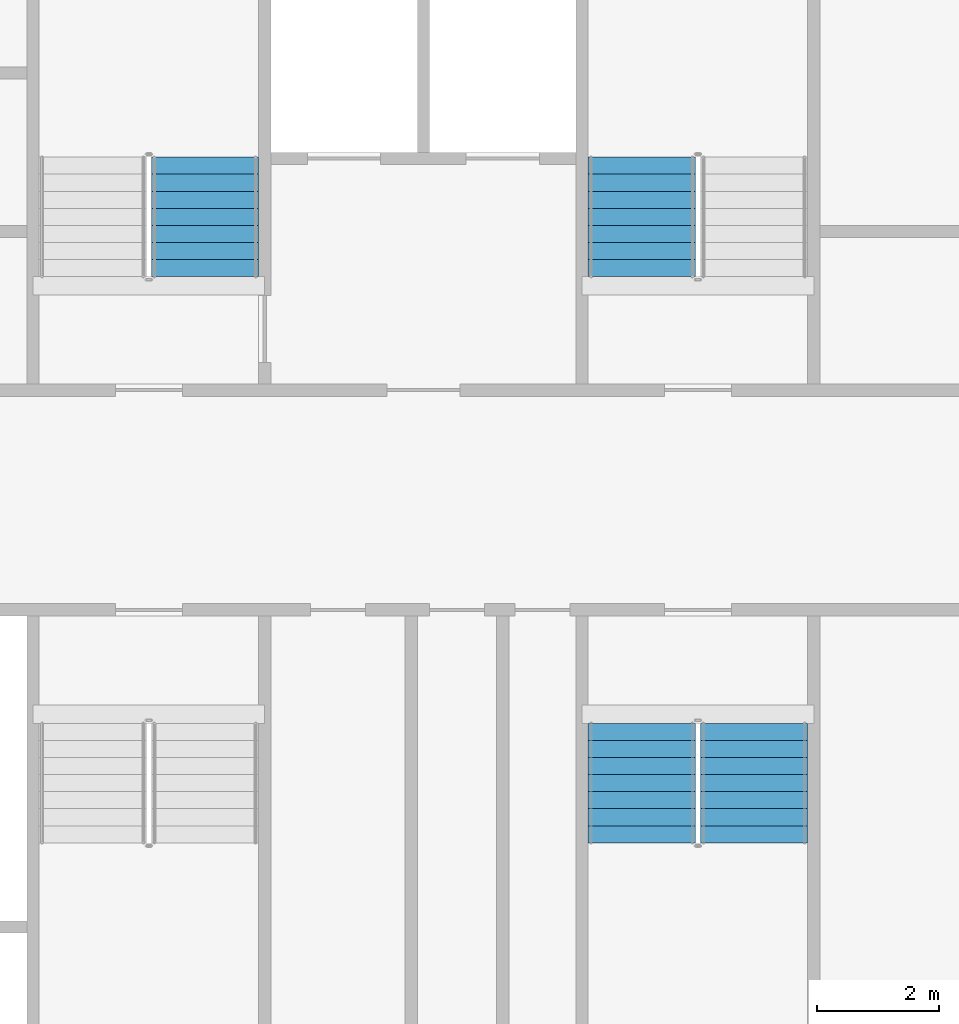
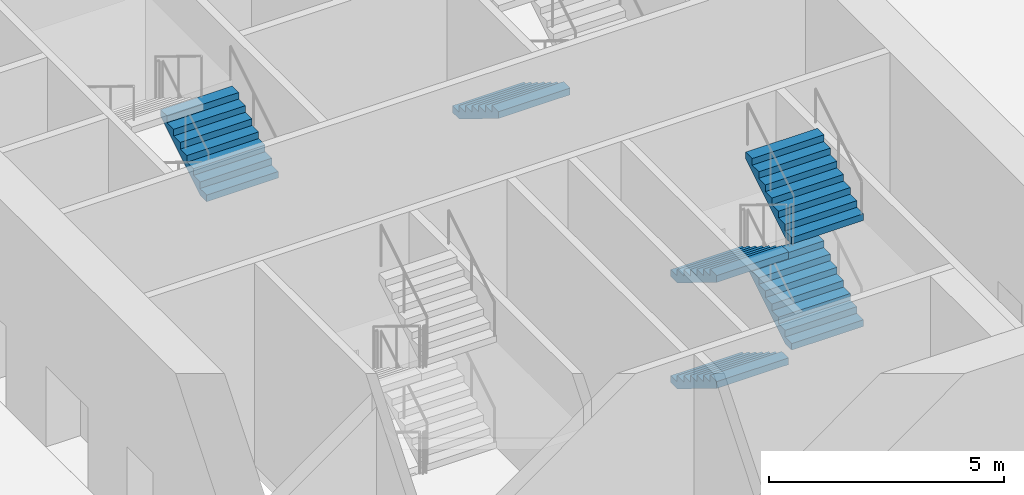
# One storey, part 15 of 23: 6 stair flights, 3 elements without a shape of their own.
"""IFC4 building model written with IfcOpenShell, lengths in metres."""

from ifc_helpers import new_model, si_unit, direction, frame, origin, place, context, subcontext, project, spatial, faceted_brep, material, type_object, element, aggregate, save


model = new_model("IFC4")

# Units and contexts
model_context = context("Model", 3, precision=1e-05, world=origin(), true_north=direction((0.0, 1.0)))
body_context = subcontext(model_context, "Body", "Model", "MODEL_VIEW")
ifc_project = project(units=[si_unit("LENGTHUNIT", "METRE"), si_unit("AREAUNIT", "SQUARE_METRE"), si_unit("VOLUMEUNIT", "CUBIC_METRE"), si_unit("PLANEANGLEUNIT", "RADIAN"), si_unit("MASSUNIT", "GRAM", prefix="KILO")], contexts=[model_context])

# Site, building, storey
site_placement = place(None, origin())
site = spatial("IfcSite", under=ifc_project, at=site_placement, CompositionType="ELEMENT")
building_placement = place(site_placement, origin())
building = spatial("IfcBuilding", under=site, at=building_placement, Name="Tarsis Ring Headquarters", CompositionType="ELEMENT")
storey_placement = place(building_placement, frame((0.0, 0.0, 19.5)))
storey = spatial("IfcBuildingStorey", under=building, at=storey_placement, Name="L03", CompositionType="ELEMENT", Elevation=19.5)

# Stair, stair flight
ifc_material_1 = material(Name="Core stair 1760")
stair_type = type_object("IfcStairType", Name="Core stair 1760", PredefinedType="HALF_TURN_STAIR", material=ifc_material_1)
stair_1_placement = place(storey_placement, origin())
stair_1 = element("IfcStair", 1, at=stair_1_placement, inside=storey, type_object=stair_type, Name="L03 Firefighting stair", PredefinedType="HALF_TURN_STAIR")
ifc_material_2 = material(Name="Concrete C40/50", Category="concrete")
stair_flight_type = type_object("IfcStairFlightType", Name="Core stair flight 1760", PredefinedType="STRAIGHT", material=ifc_material_2)
stair_flight_1_placement = place(storey_placement, frame((-3.580078125, 3.659912109375, 2.75), z_axis=(0.0, 0.0, 1.0), x_axis=(0.0, 1.0, 0.0)))
stair_flight_1 = element("IfcStairFlight", 2, at=stair_flight_1_placement, type_object=stair_flight_type, Name="Stair ST1 flight 3", NumberOfRisers=8, NumberOfTreads=7, PredefinedType="STRAIGHT", RiserHeight=0.171875, TreadLength=0.28, context=body_context, shape_type="Brep", body=[
    faceted_brep([(0.0, 0.8798828125, 0.0), (0.0, 0.8798828125, 0.171875), (0.280029296875, 0.8798828125, 0.171875), (0.280029296875, 0.8798828125, 0.34375), (0.56005859375, 0.8798828125, 0.34375), (0.56005859375, 0.8798828125, 0.515625), (0.840087890625, 0.8798828125, 0.515625), (0.840087890625, 0.8798828125, 0.6875), (1.1201171875, 0.8798828125, 0.6875), (1.1201171875, 0.8798828125, 0.859375), (1.39990234375, 0.8798828125, 0.859375), (1.39990234375, 0.8798828125, 1.03125), (1.679931640625, 0.8798828125, 1.03125), (1.679931640625, 0.8798828125, 1.203125), (1.9599609375, 0.8798828125, 1.203125), (1.9599609375, 0.8798828125, 1.02734375), (0.28662109375, 0.8798828125, 0.0), (0.28662109375, -0.8798828125, 0.0), (1.9599609375, -0.8798828125, 1.02734375), (1.9599609375, -0.8798828125, 1.203125), (1.679931640625, -0.8798828125, 1.203125), (1.679931640625, -0.8798828125, 1.03125), (1.39990234375, -0.8798828125, 1.03125), (1.39990234375, -0.8798828125, 0.859375), (1.1201171875, -0.8798828125, 0.859375), (1.1201171875, -0.8798828125, 0.6875), (0.840087890625, -0.8798828125, 0.6875), (0.840087890625, -0.8798828125, 0.515625), (0.56005859375, -0.8798828125, 0.515625), (0.56005859375, -0.8798828125, 0.34375), (0.280029296875, -0.8798828125, 0.34375), (0.280029296875, -0.8798828125, 0.171875), (0.0, -0.8798828125, 0.171875), (0.0, -0.8798828125, 0.0), (0.0, -0.43994140625, 0.171875), (0.0, -0.43994140625, 0.0), (0.0, 0.0, 0.171875), (0.0, 0.0, 0.0), (0.0, 0.43994140625, 0.171875), (0.0, 0.43994140625, 0.0), (0.280029296875, -0.43994140625, 0.171875), (0.280029296875, 0.0, 0.171875), (0.280029296875, 0.43994140625, 0.171875), (0.280029296875, -0.43994140625, 0.34375), (0.280029296875, 0.0, 0.34375), (0.280029296875, 0.43994140625, 0.34375), (0.56005859375, -0.43994140625, 0.34375), (0.56005859375, 0.0, 0.34375), (0.56005859375, 0.43994140625, 0.34375), (0.56005859375, -0.43994140625, 0.515625), (0.56005859375, 0.0, 0.515625), (0.56005859375, 0.43994140625, 0.515625), (0.840087890625, -0.43994140625, 0.515625), (0.840087890625, 0.0, 0.515625), (0.840087890625, 0.43994140625, 0.515625), (0.840087890625, -0.43994140625, 0.6875), (0.840087890625, 0.0, 0.6875), (0.840087890625, 0.43994140625, 0.6875), (1.1201171875, -0.43994140625, 0.6875), (1.1201171875, 0.0, 0.6875), (1.1201171875, 0.43994140625, 0.6875), (1.1201171875, -0.43994140625, 0.859375), (1.1201171875, 0.0, 0.859375), (1.1201171875, 0.43994140625, 0.859375), (1.39990234375, -0.43994140625, 0.859375), (1.39990234375, 0.0, 0.859375), (1.39990234375, 0.43994140625, 0.859375), (1.39990234375, -0.43994140625, 1.03125), (1.39990234375, 0.0, 1.03125), (1.39990234375, 0.43994140625, 1.03125), (1.679931640625, -0.43994140625, 1.03125), (1.679931640625, 0.0, 1.03125), (1.679931640625, 0.43994140625, 1.03125), (1.679931640625, -0.43994140625, 1.203125), (1.679931640625, 0.0, 1.203125), (1.679931640625, 0.43994140625, 1.203125), (1.9599609375, -0.43994140625, 1.203125), (1.9599609375, 0.0, 1.203125), (1.9599609375, 0.43994140625, 1.203125), (1.9599609375, -0.43994140625, 1.02734375), (1.9599609375, 0.0, 1.02734375), (1.9599609375, 0.43994140625, 1.02734375), (0.28662109375, -0.43994140625, 0.0), (0.28662109375, 0.0, 0.0), (0.28662109375, 0.43994140625, 0.0)], [[[0, 1, 2, 3, 4, 5, 6, 7, 8, 9, 10, 11, 12, 13, 14, 15, 16]], [[17, 18, 19, 20, 21, 22, 23, 24, 25, 26, 27, 28, 29, 30, 31, 32, 33]], [[33, 32, 34, 35]], [[35, 34, 36, 37]], [[37, 36, 38, 39]], [[39, 38, 1, 0]], [[32, 31, 40, 34]], [[34, 40, 41, 36]], [[36, 41, 42, 38]], [[38, 42, 2, 1]], [[31, 30, 43, 40]], [[40, 43, 44, 41]], [[41, 44, 45, 42]], [[42, 45, 3, 2]], [[30, 29, 46, 43]], [[43, 46, 47, 44]], [[44, 47, 48, 45]], [[45, 48, 4, 3]], [[29, 28, 49, 46]], [[46, 49, 50, 47]], [[47, 50, 51, 48]], [[48, 51, 5, 4]], [[28, 27, 52, 49]], [[49, 52, 53, 50]], [[50, 53, 54, 51]], [[51, 54, 6, 5]], [[27, 26, 55, 52]], [[52, 55, 56, 53]], [[53, 56, 57, 54]], [[54, 57, 7, 6]], [[26, 25, 58, 55]], [[55, 58, 59, 56]], [[56, 59, 60, 57]], [[57, 60, 8, 7]], [[25, 24, 61, 58]], [[58, 61, 62, 59]], [[59, 62, 63, 60]], [[60, 63, 9, 8]], [[24, 23, 64, 61]], [[61, 64, 65, 62]], [[62, 65, 66, 63]], [[63, 66, 10, 9]], [[23, 22, 67, 64]], [[64, 67, 68, 65]], [[65, 68, 69, 66]], [[66, 69, 11, 10]], [[22, 21, 70, 67]], [[67, 70, 71, 68]], [[68, 71, 72, 69]], [[69, 72, 12, 11]], [[21, 20, 73, 70]], [[70, 73, 74, 71]], [[71, 74, 75, 72]], [[72, 75, 13, 12]], [[20, 19, 76, 73]], [[73, 76, 77, 74]], [[74, 77, 78, 75]], [[75, 78, 14, 13]], [[19, 18, 79, 76]], [[76, 79, 80, 77]], [[77, 80, 81, 78]], [[78, 81, 15, 14]], [[18, 17, 82, 79]], [[79, 82, 83, 80]], [[80, 83, 84, 81]], [[81, 84, 16, 15]], [[17, 33, 35, 82]], [[82, 35, 37, 83]], [[83, 37, 39, 84]], [[84, 39, 0, 16]]]),
])
aggregate(stair_1, [stair_flight_1])

stair_2_placement = place(storey_placement, origin())
stair_2 = element("IfcStair", 3, at=stair_2_placement, inside=storey, type_object=stair_type, Name="L03 Exit stair B", PredefinedType="HALF_TURN_STAIR")
stair_flight_2_placement = place(storey_placement, frame((3.580078125, 5.6201171875, 1.375), z_axis=(0.0, 0.0, 1.0), x_axis=(0.0, -1.0, 0.0)))
stair_flight_2 = element("IfcStairFlight", 4, at=stair_flight_2_placement, type_object=stair_flight_type, Name="Stair ST2 flight 2", NumberOfRisers=8, NumberOfTreads=7, PredefinedType="STRAIGHT", RiserHeight=0.171875, TreadLength=0.28, context=body_context, shape_type="Brep", body=[
    faceted_brep([(0.0, 0.8798828125, 0.0), (0.0, 0.8798828125, 0.171875), (0.280029296875, 0.8798828125, 0.171875), (0.280029296875, 0.8798828125, 0.34375), (0.56005859375, 0.8798828125, 0.34375), (0.56005859375, 0.8798828125, 0.515625), (0.840087890625, 0.8798828125, 0.515625), (0.840087890625, 0.8798828125, 0.6875), (1.1201171875, 0.8798828125, 0.6875), (1.1201171875, 0.8798828125, 0.859375), (1.39990234375, 0.8798828125, 0.859375), (1.39990234375, 0.8798828125, 1.03125), (1.679931640625, 0.8798828125, 1.03125), (1.679931640625, 0.8798828125, 1.203125), (1.9599609375, 0.8798828125, 1.203125), (1.9599609375, 0.8798828125, 1.02734375), (0.28662109375, 0.8798828125, 0.0), (0.28662109375, -0.8798828125, 0.0), (1.9599609375, -0.8798828125, 1.02734375), (1.9599609375, -0.8798828125, 1.203125), (1.679931640625, -0.8798828125, 1.203125), (1.679931640625, -0.8798828125, 1.03125), (1.39990234375, -0.8798828125, 1.03125), (1.39990234375, -0.8798828125, 0.859375), (1.1201171875, -0.8798828125, 0.859375), (1.1201171875, -0.8798828125, 0.6875), (0.840087890625, -0.8798828125, 0.6875), (0.840087890625, -0.8798828125, 0.515625), (0.56005859375, -0.8798828125, 0.515625), (0.56005859375, -0.8798828125, 0.34375), (0.280029296875, -0.8798828125, 0.34375), (0.280029296875, -0.8798828125, 0.171875), (0.0, -0.8798828125, 0.171875), (0.0, -0.8798828125, 0.0), (0.0, -0.43994140625, 0.171875), (0.0, -0.43994140625, 0.0), (0.0, 0.0, 0.171875), (0.0, 0.0, 0.0), (0.0, 0.43994140625, 0.171875), (0.0, 0.43994140625, 0.0), (0.280029296875, -0.43994140625, 0.171875), (0.280029296875, 0.0, 0.171875), (0.280029296875, 0.43994140625, 0.171875), (0.280029296875, -0.43994140625, 0.34375), (0.280029296875, 0.0, 0.34375), (0.280029296875, 0.43994140625, 0.34375), (0.56005859375, -0.43994140625, 0.34375), (0.56005859375, 0.0, 0.34375), (0.56005859375, 0.43994140625, 0.34375), (0.56005859375, -0.43994140625, 0.515625), (0.56005859375, 0.0, 0.515625), (0.56005859375, 0.43994140625, 0.515625), (0.840087890625, -0.43994140625, 0.515625), (0.840087890625, 0.0, 0.515625), (0.840087890625, 0.43994140625, 0.515625), (0.840087890625, -0.43994140625, 0.6875), (0.840087890625, 0.0, 0.6875), (0.840087890625, 0.43994140625, 0.6875), (1.1201171875, -0.43994140625, 0.6875), (1.1201171875, 0.0, 0.6875), (1.1201171875, 0.43994140625, 0.6875), (1.1201171875, -0.43994140625, 0.859375), (1.1201171875, 0.0, 0.859375), (1.1201171875, 0.43994140625, 0.859375), (1.39990234375, -0.43994140625, 0.859375), (1.39990234375, 0.0, 0.859375), (1.39990234375, 0.43994140625, 0.859375), (1.39990234375, -0.43994140625, 1.03125), (1.39990234375, 0.0, 1.03125), (1.39990234375, 0.43994140625, 1.03125), (1.679931640625, -0.43994140625, 1.03125), (1.679931640625, 0.0, 1.03125), (1.679931640625, 0.43994140625, 1.03125), (1.679931640625, -0.43994140625, 1.203125), (1.679931640625, 0.0, 1.203125), (1.679931640625, 0.43994140625, 1.203125), (1.9599609375, -0.43994140625, 1.203125), (1.9599609375, 0.0, 1.203125), (1.9599609375, 0.43994140625, 1.203125), (1.9599609375, -0.43994140625, 1.02734375), (1.9599609375, 0.0, 1.02734375), (1.9599609375, 0.43994140625, 1.02734375), (0.28662109375, -0.43994140625, 0.0), (0.28662109375, 0.0, 0.0), (0.28662109375, 0.43994140625, 0.0)], [[[0, 1, 2, 3, 4, 5, 6, 7, 8, 9, 10, 11, 12, 13, 14, 15, 16]], [[17, 18, 19, 20, 21, 22, 23, 24, 25, 26, 27, 28, 29, 30, 31, 32, 33]], [[33, 32, 34, 35]], [[35, 34, 36, 37]], [[37, 36, 38, 39]], [[39, 38, 1, 0]], [[32, 31, 40, 34]], [[34, 40, 41, 36]], [[36, 41, 42, 38]], [[38, 42, 2, 1]], [[31, 30, 43, 40]], [[40, 43, 44, 41]], [[41, 44, 45, 42]], [[42, 45, 3, 2]], [[30, 29, 46, 43]], [[43, 46, 47, 44]], [[44, 47, 48, 45]], [[45, 48, 4, 3]], [[29, 28, 49, 46]], [[46, 49, 50, 47]], [[47, 50, 51, 48]], [[48, 51, 5, 4]], [[28, 27, 52, 49]], [[49, 52, 53, 50]], [[50, 53, 54, 51]], [[51, 54, 6, 5]], [[27, 26, 55, 52]], [[52, 55, 56, 53]], [[53, 56, 57, 54]], [[54, 57, 7, 6]], [[26, 25, 58, 55]], [[55, 58, 59, 56]], [[56, 59, 60, 57]], [[57, 60, 8, 7]], [[25, 24, 61, 58]], [[58, 61, 62, 59]], [[59, 62, 63, 60]], [[60, 63, 9, 8]], [[24, 23, 64, 61]], [[61, 64, 65, 62]], [[62, 65, 66, 63]], [[63, 66, 10, 9]], [[23, 22, 67, 64]], [[64, 67, 68, 65]], [[65, 68, 69, 66]], [[66, 69, 11, 10]], [[22, 21, 70, 67]], [[67, 70, 71, 68]], [[68, 71, 72, 69]], [[69, 72, 12, 11]], [[21, 20, 73, 70]], [[70, 73, 74, 71]], [[71, 74, 75, 72]], [[72, 75, 13, 12]], [[20, 19, 76, 73]], [[73, 76, 77, 74]], [[74, 77, 78, 75]], [[75, 78, 14, 13]], [[19, 18, 79, 76]], [[76, 79, 80, 77]], [[77, 80, 81, 78]], [[78, 81, 15, 14]], [[18, 17, 82, 79]], [[79, 82, 83, 80]], [[80, 83, 84, 81]], [[81, 84, 16, 15]], [[17, 33, 35, 82]], [[82, 35, 37, 83]], [[83, 37, 39, 84]], [[84, 39, 0, 16]]]),
])
aggregate(stair_2, [stair_flight_2])

# Stair, stair flights
stair_3_placement = place(storey_placement, origin())
stair_3 = element("IfcStair", 5, at=stair_3_placement, inside=storey, type_object=stair_type, Name="L03 Exit stair D", PredefinedType="HALF_TURN_STAIR")
stair_flight_3_placement = place(storey_placement, frame((3.580078125, -3.659912109375, 0.0), z_axis=(0.0, 0.0, 1.0), x_axis=(0.0, -1.0, 0.0)))
stair_flight_3 = element("IfcStairFlight", 6, at=stair_flight_3_placement, type_object=stair_flight_type, Name="Stair ST4 flight 1", NumberOfRisers=8, NumberOfTreads=7, PredefinedType="STRAIGHT", RiserHeight=0.171875, TreadLength=0.28, context=body_context, shape_type="Brep", body=[
    faceted_brep([(0.0, 0.8798828125, 0.0), (0.0, 0.8798828125, 0.171875), (0.280029296875, 0.8798828125, 0.171875), (0.280029296875, 0.8798828125, 0.34375), (0.56005859375, 0.8798828125, 0.34375), (0.56005859375, 0.8798828125, 0.515625), (0.840087890625, 0.8798828125, 0.515625), (0.840087890625, 0.8798828125, 0.6875), (1.1201171875, 0.8798828125, 0.6875), (1.1201171875, 0.8798828125, 0.859375), (1.39990234375, 0.8798828125, 0.859375), (1.39990234375, 0.8798828125, 1.03125), (1.679931640625, 0.8798828125, 1.03125), (1.679931640625, 0.8798828125, 1.203125), (1.9599609375, 0.8798828125, 1.203125), (1.9599609375, 0.8798828125, 1.02734375), (0.28662109375, 0.8798828125, 0.0), (0.28662109375, -0.8798828125, 0.0), (1.9599609375, -0.8798828125, 1.02734375), (1.9599609375, -0.8798828125, 1.203125), (1.679931640625, -0.8798828125, 1.203125), (1.679931640625, -0.8798828125, 1.03125), (1.39990234375, -0.8798828125, 1.03125), (1.39990234375, -0.8798828125, 0.859375), (1.1201171875, -0.8798828125, 0.859375), (1.1201171875, -0.8798828125, 0.6875), (0.840087890625, -0.8798828125, 0.6875), (0.840087890625, -0.8798828125, 0.515625), (0.56005859375, -0.8798828125, 0.515625), (0.56005859375, -0.8798828125, 0.34375), (0.280029296875, -0.8798828125, 0.34375), (0.280029296875, -0.8798828125, 0.171875), (0.0, -0.8798828125, 0.171875), (0.0, -0.8798828125, 0.0), (0.0, -0.43994140625, 0.171875), (0.0, -0.43994140625, 0.0), (0.0, 0.0, 0.171875), (0.0, 0.0, 0.0), (0.0, 0.43994140625, 0.171875), (0.0, 0.43994140625, 0.0), (0.280029296875, -0.43994140625, 0.171875), (0.280029296875, 0.0, 0.171875), (0.280029296875, 0.43994140625, 0.171875), (0.280029296875, -0.43994140625, 0.34375), (0.280029296875, 0.0, 0.34375), (0.280029296875, 0.43994140625, 0.34375), (0.56005859375, -0.43994140625, 0.34375), (0.56005859375, 0.0, 0.34375), (0.56005859375, 0.43994140625, 0.34375), (0.56005859375, -0.43994140625, 0.515625), (0.56005859375, 0.0, 0.515625), (0.56005859375, 0.43994140625, 0.515625), (0.840087890625, -0.43994140625, 0.515625), (0.840087890625, 0.0, 0.515625), (0.840087890625, 0.43994140625, 0.515625), (0.840087890625, -0.43994140625, 0.6875), (0.840087890625, 0.0, 0.6875), (0.840087890625, 0.43994140625, 0.6875), (1.1201171875, -0.43994140625, 0.6875), (1.1201171875, 0.0, 0.6875), (1.1201171875, 0.43994140625, 0.6875), (1.1201171875, -0.43994140625, 0.859375), (1.1201171875, 0.0, 0.859375), (1.1201171875, 0.43994140625, 0.859375), (1.39990234375, -0.43994140625, 0.859375), (1.39990234375, 0.0, 0.859375), (1.39990234375, 0.43994140625, 0.859375), (1.39990234375, -0.43994140625, 1.03125), (1.39990234375, 0.0, 1.03125), (1.39990234375, 0.43994140625, 1.03125), (1.679931640625, -0.43994140625, 1.03125), (1.679931640625, 0.0, 1.03125), (1.679931640625, 0.43994140625, 1.03125), (1.679931640625, -0.43994140625, 1.203125), (1.679931640625, 0.0, 1.203125), (1.679931640625, 0.43994140625, 1.203125), (1.9599609375, -0.43994140625, 1.203125), (1.9599609375, 0.0, 1.203125), (1.9599609375, 0.43994140625, 1.203125), (1.9599609375, -0.43994140625, 1.02734375), (1.9599609375, 0.0, 1.02734375), (1.9599609375, 0.43994140625, 1.02734375), (0.28662109375, -0.43994140625, 0.0), (0.28662109375, 0.0, 0.0), (0.28662109375, 0.43994140625, 0.0)], [[[0, 1, 2, 3, 4, 5, 6, 7, 8, 9, 10, 11, 12, 13, 14, 15, 16]], [[17, 18, 19, 20, 21, 22, 23, 24, 25, 26, 27, 28, 29, 30, 31, 32, 33]], [[33, 32, 34, 35]], [[35, 34, 36, 37]], [[37, 36, 38, 39]], [[39, 38, 1, 0]], [[32, 31, 40, 34]], [[34, 40, 41, 36]], [[36, 41, 42, 38]], [[38, 42, 2, 1]], [[31, 30, 43, 40]], [[40, 43, 44, 41]], [[41, 44, 45, 42]], [[42, 45, 3, 2]], [[30, 29, 46, 43]], [[43, 46, 47, 44]], [[44, 47, 48, 45]], [[45, 48, 4, 3]], [[29, 28, 49, 46]], [[46, 49, 50, 47]], [[47, 50, 51, 48]], [[48, 51, 5, 4]], [[28, 27, 52, 49]], [[49, 52, 53, 50]], [[50, 53, 54, 51]], [[51, 54, 6, 5]], [[27, 26, 55, 52]], [[52, 55, 56, 53]], [[53, 56, 57, 54]], [[54, 57, 7, 6]], [[26, 25, 58, 55]], [[55, 58, 59, 56]], [[56, 59, 60, 57]], [[57, 60, 8, 7]], [[25, 24, 61, 58]], [[58, 61, 62, 59]], [[59, 62, 63, 60]], [[60, 63, 9, 8]], [[24, 23, 64, 61]], [[61, 64, 65, 62]], [[62, 65, 66, 63]], [[63, 66, 10, 9]], [[23, 22, 67, 64]], [[64, 67, 68, 65]], [[65, 68, 69, 66]], [[66, 69, 11, 10]], [[22, 21, 70, 67]], [[67, 70, 71, 68]], [[68, 71, 72, 69]], [[69, 72, 12, 11]], [[21, 20, 73, 70]], [[70, 73, 74, 71]], [[71, 74, 75, 72]], [[72, 75, 13, 12]], [[20, 19, 76, 73]], [[73, 76, 77, 74]], [[74, 77, 78, 75]], [[75, 78, 14, 13]], [[19, 18, 79, 76]], [[76, 79, 80, 77]], [[77, 80, 81, 78]], [[78, 81, 15, 14]], [[18, 17, 82, 79]], [[79, 82, 83, 80]], [[80, 83, 84, 81]], [[81, 84, 16, 15]], [[17, 33, 35, 82]], [[82, 35, 37, 83]], [[83, 37, 39, 84]], [[84, 39, 0, 16]]]),
])
stair_flight_4_placement = place(storey_placement, frame((5.419921875, -5.6201171875, 1.375), z_axis=(0.0, 0.0, 1.0), x_axis=(0.0, 1.0, 0.0)))
stair_flight_4 = element("IfcStairFlight", 7, at=stair_flight_4_placement, type_object=stair_flight_type, Name="Stair ST4 flight 2", NumberOfRisers=8, NumberOfTreads=7, PredefinedType="STRAIGHT", RiserHeight=0.171875, TreadLength=0.28, context=body_context, shape_type="Brep", body=[
    faceted_brep([(0.0, 0.8798828125, 0.0), (0.0, 0.8798828125, 0.171875), (0.280029296875, 0.8798828125, 0.171875), (0.280029296875, 0.8798828125, 0.34375), (0.56005859375, 0.8798828125, 0.34375), (0.56005859375, 0.8798828125, 0.515625), (0.840087890625, 0.8798828125, 0.515625), (0.840087890625, 0.8798828125, 0.6875), (1.1201171875, 0.8798828125, 0.6875), (1.1201171875, 0.8798828125, 0.859375), (1.39990234375, 0.8798828125, 0.859375), (1.39990234375, 0.8798828125, 1.03125), (1.679931640625, 0.8798828125, 1.03125), (1.679931640625, 0.8798828125, 1.203125), (1.9599609375, 0.8798828125, 1.203125), (1.9599609375, 0.8798828125, 1.02734375), (0.28662109375, 0.8798828125, 0.0), (0.28662109375, -0.8798828125, 0.0), (1.9599609375, -0.8798828125, 1.02734375), (1.9599609375, -0.8798828125, 1.203125), (1.679931640625, -0.8798828125, 1.203125), (1.679931640625, -0.8798828125, 1.03125), (1.39990234375, -0.8798828125, 1.03125), (1.39990234375, -0.8798828125, 0.859375), (1.1201171875, -0.8798828125, 0.859375), (1.1201171875, -0.8798828125, 0.6875), (0.840087890625, -0.8798828125, 0.6875), (0.840087890625, -0.8798828125, 0.515625), (0.56005859375, -0.8798828125, 0.515625), (0.56005859375, -0.8798828125, 0.34375), (0.280029296875, -0.8798828125, 0.34375), (0.280029296875, -0.8798828125, 0.171875), (0.0, -0.8798828125, 0.171875), (0.0, -0.8798828125, 0.0), (0.0, -0.43994140625, 0.171875), (0.0, -0.43994140625, 0.0), (0.0, 0.0, 0.171875), (0.0, 0.0, 0.0), (0.0, 0.43994140625, 0.171875), (0.0, 0.43994140625, 0.0), (0.280029296875, -0.43994140625, 0.171875), (0.280029296875, 0.0, 0.171875), (0.280029296875, 0.43994140625, 0.171875), (0.280029296875, -0.43994140625, 0.34375), (0.280029296875, 0.0, 0.34375), (0.280029296875, 0.43994140625, 0.34375), (0.56005859375, -0.43994140625, 0.34375), (0.56005859375, 0.0, 0.34375), (0.56005859375, 0.43994140625, 0.34375), (0.56005859375, -0.43994140625, 0.515625), (0.56005859375, 0.0, 0.515625), (0.56005859375, 0.43994140625, 0.515625), (0.840087890625, -0.43994140625, 0.515625), (0.840087890625, 0.0, 0.515625), (0.840087890625, 0.43994140625, 0.515625), (0.840087890625, -0.43994140625, 0.6875), (0.840087890625, 0.0, 0.6875), (0.840087890625, 0.43994140625, 0.6875), (1.1201171875, -0.43994140625, 0.6875), (1.1201171875, 0.0, 0.6875), (1.1201171875, 0.43994140625, 0.6875), (1.1201171875, -0.43994140625, 0.859375), (1.1201171875, 0.0, 0.859375), (1.1201171875, 0.43994140625, 0.859375), (1.39990234375, -0.43994140625, 0.859375), (1.39990234375, 0.0, 0.859375), (1.39990234375, 0.43994140625, 0.859375), (1.39990234375, -0.43994140625, 1.03125), (1.39990234375, 0.0, 1.03125), (1.39990234375, 0.43994140625, 1.03125), (1.679931640625, -0.43994140625, 1.03125), (1.679931640625, 0.0, 1.03125), (1.679931640625, 0.43994140625, 1.03125), (1.679931640625, -0.43994140625, 1.203125), (1.679931640625, 0.0, 1.203125), (1.679931640625, 0.43994140625, 1.203125), (1.9599609375, -0.43994140625, 1.203125), (1.9599609375, 0.0, 1.203125), (1.9599609375, 0.43994140625, 1.203125), (1.9599609375, -0.43994140625, 1.02734375), (1.9599609375, 0.0, 1.02734375), (1.9599609375, 0.43994140625, 1.02734375), (0.28662109375, -0.43994140625, 0.0), (0.28662109375, 0.0, 0.0), (0.28662109375, 0.43994140625, 0.0)], [[[0, 1, 2, 3, 4, 5, 6, 7, 8, 9, 10, 11, 12, 13, 14, 15, 16]], [[17, 18, 19, 20, 21, 22, 23, 24, 25, 26, 27, 28, 29, 30, 31, 32, 33]], [[33, 32, 34, 35]], [[35, 34, 36, 37]], [[37, 36, 38, 39]], [[39, 38, 1, 0]], [[32, 31, 40, 34]], [[34, 40, 41, 36]], [[36, 41, 42, 38]], [[38, 42, 2, 1]], [[31, 30, 43, 40]], [[40, 43, 44, 41]], [[41, 44, 45, 42]], [[42, 45, 3, 2]], [[30, 29, 46, 43]], [[43, 46, 47, 44]], [[44, 47, 48, 45]], [[45, 48, 4, 3]], [[29, 28, 49, 46]], [[46, 49, 50, 47]], [[47, 50, 51, 48]], [[48, 51, 5, 4]], [[28, 27, 52, 49]], [[49, 52, 53, 50]], [[50, 53, 54, 51]], [[51, 54, 6, 5]], [[27, 26, 55, 52]], [[52, 55, 56, 53]], [[53, 56, 57, 54]], [[54, 57, 7, 6]], [[26, 25, 58, 55]], [[55, 58, 59, 56]], [[56, 59, 60, 57]], [[57, 60, 8, 7]], [[25, 24, 61, 58]], [[58, 61, 62, 59]], [[59, 62, 63, 60]], [[60, 63, 9, 8]], [[24, 23, 64, 61]], [[61, 64, 65, 62]], [[62, 65, 66, 63]], [[63, 66, 10, 9]], [[23, 22, 67, 64]], [[64, 67, 68, 65]], [[65, 68, 69, 66]], [[66, 69, 11, 10]], [[22, 21, 70, 67]], [[67, 70, 71, 68]], [[68, 71, 72, 69]], [[69, 72, 12, 11]], [[21, 20, 73, 70]], [[70, 73, 74, 71]], [[71, 74, 75, 72]], [[72, 75, 13, 12]], [[20, 19, 76, 73]], [[73, 76, 77, 74]], [[74, 77, 78, 75]], [[75, 78, 14, 13]], [[19, 18, 79, 76]], [[76, 79, 80, 77]], [[77, 80, 81, 78]], [[78, 81, 15, 14]], [[18, 17, 82, 79]], [[79, 82, 83, 80]], [[80, 83, 84, 81]], [[81, 84, 16, 15]], [[17, 33, 35, 82]], [[82, 35, 37, 83]], [[83, 37, 39, 84]], [[84, 39, 0, 16]]]),
])
stair_flight_5_placement = place(storey_placement, frame((3.580078125, -3.659912109375, 2.75), z_axis=(0.0, 0.0, 1.0), x_axis=(0.0, -1.0, 0.0)))
stair_flight_5 = element("IfcStairFlight", 8, at=stair_flight_5_placement, type_object=stair_flight_type, Name="Stair ST4 flight 3", NumberOfRisers=8, NumberOfTreads=7, PredefinedType="STRAIGHT", RiserHeight=0.171875, TreadLength=0.28, context=body_context, shape_type="Brep", body=[
    faceted_brep([(0.0, 0.8798828125, 0.0), (0.0, 0.8798828125, 0.171875), (0.280029296875, 0.8798828125, 0.171875), (0.280029296875, 0.8798828125, 0.34375), (0.56005859375, 0.8798828125, 0.34375), (0.56005859375, 0.8798828125, 0.515625), (0.840087890625, 0.8798828125, 0.515625), (0.840087890625, 0.8798828125, 0.6875), (1.1201171875, 0.8798828125, 0.6875), (1.1201171875, 0.8798828125, 0.859375), (1.39990234375, 0.8798828125, 0.859375), (1.39990234375, 0.8798828125, 1.03125), (1.679931640625, 0.8798828125, 1.03125), (1.679931640625, 0.8798828125, 1.203125), (1.9599609375, 0.8798828125, 1.203125), (1.9599609375, 0.8798828125, 1.02734375), (0.28662109375, 0.8798828125, 0.0), (0.28662109375, -0.8798828125, 0.0), (1.9599609375, -0.8798828125, 1.02734375), (1.9599609375, -0.8798828125, 1.203125), (1.679931640625, -0.8798828125, 1.203125), (1.679931640625, -0.8798828125, 1.03125), (1.39990234375, -0.8798828125, 1.03125), (1.39990234375, -0.8798828125, 0.859375), (1.1201171875, -0.8798828125, 0.859375), (1.1201171875, -0.8798828125, 0.6875), (0.840087890625, -0.8798828125, 0.6875), (0.840087890625, -0.8798828125, 0.515625), (0.56005859375, -0.8798828125, 0.515625), (0.56005859375, -0.8798828125, 0.34375), (0.280029296875, -0.8798828125, 0.34375), (0.280029296875, -0.8798828125, 0.171875), (0.0, -0.8798828125, 0.171875), (0.0, -0.8798828125, 0.0), (0.0, -0.43994140625, 0.171875), (0.0, -0.43994140625, 0.0), (0.0, 0.0, 0.171875), (0.0, 0.0, 0.0), (0.0, 0.43994140625, 0.171875), (0.0, 0.43994140625, 0.0), (0.280029296875, -0.43994140625, 0.171875), (0.280029296875, 0.0, 0.171875), (0.280029296875, 0.43994140625, 0.171875), (0.280029296875, -0.43994140625, 0.34375), (0.280029296875, 0.0, 0.34375), (0.280029296875, 0.43994140625, 0.34375), (0.56005859375, -0.43994140625, 0.34375), (0.56005859375, 0.0, 0.34375), (0.56005859375, 0.43994140625, 0.34375), (0.56005859375, -0.43994140625, 0.515625), (0.56005859375, 0.0, 0.515625), (0.56005859375, 0.43994140625, 0.515625), (0.840087890625, -0.43994140625, 0.515625), (0.840087890625, 0.0, 0.515625), (0.840087890625, 0.43994140625, 0.515625), (0.840087890625, -0.43994140625, 0.6875), (0.840087890625, 0.0, 0.6875), (0.840087890625, 0.43994140625, 0.6875), (1.1201171875, -0.43994140625, 0.6875), (1.1201171875, 0.0, 0.6875), (1.1201171875, 0.43994140625, 0.6875), (1.1201171875, -0.43994140625, 0.859375), (1.1201171875, 0.0, 0.859375), (1.1201171875, 0.43994140625, 0.859375), (1.39990234375, -0.43994140625, 0.859375), (1.39990234375, 0.0, 0.859375), (1.39990234375, 0.43994140625, 0.859375), (1.39990234375, -0.43994140625, 1.03125), (1.39990234375, 0.0, 1.03125), (1.39990234375, 0.43994140625, 1.03125), (1.679931640625, -0.43994140625, 1.03125), (1.679931640625, 0.0, 1.03125), (1.679931640625, 0.43994140625, 1.03125), (1.679931640625, -0.43994140625, 1.203125), (1.679931640625, 0.0, 1.203125), (1.679931640625, 0.43994140625, 1.203125), (1.9599609375, -0.43994140625, 1.203125), (1.9599609375, 0.0, 1.203125), (1.9599609375, 0.43994140625, 1.203125), (1.9599609375, -0.43994140625, 1.02734375), (1.9599609375, 0.0, 1.02734375), (1.9599609375, 0.43994140625, 1.02734375), (0.28662109375, -0.43994140625, 0.0), (0.28662109375, 0.0, 0.0), (0.28662109375, 0.43994140625, 0.0)], [[[0, 1, 2, 3, 4, 5, 6, 7, 8, 9, 10, 11, 12, 13, 14, 15, 16]], [[17, 18, 19, 20, 21, 22, 23, 24, 25, 26, 27, 28, 29, 30, 31, 32, 33]], [[33, 32, 34, 35]], [[35, 34, 36, 37]], [[37, 36, 38, 39]], [[39, 38, 1, 0]], [[32, 31, 40, 34]], [[34, 40, 41, 36]], [[36, 41, 42, 38]], [[38, 42, 2, 1]], [[31, 30, 43, 40]], [[40, 43, 44, 41]], [[41, 44, 45, 42]], [[42, 45, 3, 2]], [[30, 29, 46, 43]], [[43, 46, 47, 44]], [[44, 47, 48, 45]], [[45, 48, 4, 3]], [[29, 28, 49, 46]], [[46, 49, 50, 47]], [[47, 50, 51, 48]], [[48, 51, 5, 4]], [[28, 27, 52, 49]], [[49, 52, 53, 50]], [[50, 53, 54, 51]], [[51, 54, 6, 5]], [[27, 26, 55, 52]], [[52, 55, 56, 53]], [[53, 56, 57, 54]], [[54, 57, 7, 6]], [[26, 25, 58, 55]], [[55, 58, 59, 56]], [[56, 59, 60, 57]], [[57, 60, 8, 7]], [[25, 24, 61, 58]], [[58, 61, 62, 59]], [[59, 62, 63, 60]], [[60, 63, 9, 8]], [[24, 23, 64, 61]], [[61, 64, 65, 62]], [[62, 65, 66, 63]], [[63, 66, 10, 9]], [[23, 22, 67, 64]], [[64, 67, 68, 65]], [[65, 68, 69, 66]], [[66, 69, 11, 10]], [[22, 21, 70, 67]], [[67, 70, 71, 68]], [[68, 71, 72, 69]], [[69, 72, 12, 11]], [[21, 20, 73, 70]], [[70, 73, 74, 71]], [[71, 74, 75, 72]], [[72, 75, 13, 12]], [[20, 19, 76, 73]], [[73, 76, 77, 74]], [[74, 77, 78, 75]], [[75, 78, 14, 13]], [[19, 18, 79, 76]], [[76, 79, 80, 77]], [[77, 80, 81, 78]], [[78, 81, 15, 14]], [[18, 17, 82, 79]], [[79, 82, 83, 80]], [[80, 83, 84, 81]], [[81, 84, 16, 15]], [[17, 33, 35, 82]], [[82, 35, 37, 83]], [[83, 37, 39, 84]], [[84, 39, 0, 16]]]),
])
stair_flight_6_placement = place(storey_placement, frame((5.419921875, -5.6201171875, 4.125), z_axis=(0.0, 0.0, 1.0), x_axis=(0.0, 1.0, 0.0)))
stair_flight_6 = element("IfcStairFlight", 9, at=stair_flight_6_placement, type_object=stair_flight_type, Name="Stair ST4 flight 4", NumberOfRisers=8, NumberOfTreads=7, PredefinedType="STRAIGHT", RiserHeight=0.171875, TreadLength=0.28, context=body_context, shape_type="Brep", body=[
    faceted_brep([(0.0, 0.8798828125, 0.0), (0.0, 0.8798828125, 0.171875), (0.280029296875, 0.8798828125, 0.171875), (0.280029296875, 0.8798828125, 0.34375), (0.56005859375, 0.8798828125, 0.34375), (0.56005859375, 0.8798828125, 0.515625), (0.840087890625, 0.8798828125, 0.515625), (0.840087890625, 0.8798828125, 0.6875), (1.1201171875, 0.8798828125, 0.6875), (1.1201171875, 0.8798828125, 0.859375), (1.39990234375, 0.8798828125, 0.859375), (1.39990234375, 0.8798828125, 1.03125), (1.679931640625, 0.8798828125, 1.03125), (1.679931640625, 0.8798828125, 1.203125), (1.9599609375, 0.8798828125, 1.203125), (1.9599609375, 0.8798828125, 1.02734375), (0.28662109375, 0.8798828125, 0.0), (0.28662109375, -0.8798828125, 0.0), (1.9599609375, -0.8798828125, 1.02734375), (1.9599609375, -0.8798828125, 1.203125), (1.679931640625, -0.8798828125, 1.203125), (1.679931640625, -0.8798828125, 1.03125), (1.39990234375, -0.8798828125, 1.03125), (1.39990234375, -0.8798828125, 0.859375), (1.1201171875, -0.8798828125, 0.859375), (1.1201171875, -0.8798828125, 0.6875), (0.840087890625, -0.8798828125, 0.6875), (0.840087890625, -0.8798828125, 0.515625), (0.56005859375, -0.8798828125, 0.515625), (0.56005859375, -0.8798828125, 0.34375), (0.280029296875, -0.8798828125, 0.34375), (0.280029296875, -0.8798828125, 0.171875), (0.0, -0.8798828125, 0.171875), (0.0, -0.8798828125, 0.0), (0.0, -0.43994140625, 0.171875), (0.0, -0.43994140625, 0.0), (0.0, 0.0, 0.171875), (0.0, 0.0, 0.0), (0.0, 0.43994140625, 0.171875), (0.0, 0.43994140625, 0.0), (0.280029296875, -0.43994140625, 0.171875), (0.280029296875, 0.0, 0.171875), (0.280029296875, 0.43994140625, 0.171875), (0.280029296875, -0.43994140625, 0.34375), (0.280029296875, 0.0, 0.34375), (0.280029296875, 0.43994140625, 0.34375), (0.56005859375, -0.43994140625, 0.34375), (0.56005859375, 0.0, 0.34375), (0.56005859375, 0.43994140625, 0.34375), (0.56005859375, -0.43994140625, 0.515625), (0.56005859375, 0.0, 0.515625), (0.56005859375, 0.43994140625, 0.515625), (0.840087890625, -0.43994140625, 0.515625), (0.840087890625, 0.0, 0.515625), (0.840087890625, 0.43994140625, 0.515625), (0.840087890625, -0.43994140625, 0.6875), (0.840087890625, 0.0, 0.6875), (0.840087890625, 0.43994140625, 0.6875), (1.1201171875, -0.43994140625, 0.6875), (1.1201171875, 0.0, 0.6875), (1.1201171875, 0.43994140625, 0.6875), (1.1201171875, -0.43994140625, 0.859375), (1.1201171875, 0.0, 0.859375), (1.1201171875, 0.43994140625, 0.859375), (1.39990234375, -0.43994140625, 0.859375), (1.39990234375, 0.0, 0.859375), (1.39990234375, 0.43994140625, 0.859375), (1.39990234375, -0.43994140625, 1.03125), (1.39990234375, 0.0, 1.03125), (1.39990234375, 0.43994140625, 1.03125), (1.679931640625, -0.43994140625, 1.03125), (1.679931640625, 0.0, 1.03125), (1.679931640625, 0.43994140625, 1.03125), (1.679931640625, -0.43994140625, 1.203125), (1.679931640625, 0.0, 1.203125), (1.679931640625, 0.43994140625, 1.203125), (1.9599609375, -0.43994140625, 1.203125), (1.9599609375, 0.0, 1.203125), (1.9599609375, 0.43994140625, 1.203125), (1.9599609375, -0.43994140625, 1.02734375), (1.9599609375, 0.0, 1.02734375), (1.9599609375, 0.43994140625, 1.02734375), (0.28662109375, -0.43994140625, 0.0), (0.28662109375, 0.0, 0.0), (0.28662109375, 0.43994140625, 0.0)], [[[0, 1, 2, 3, 4, 5, 6, 7, 8, 9, 10, 11, 12, 13, 14, 15, 16]], [[17, 18, 19, 20, 21, 22, 23, 24, 25, 26, 27, 28, 29, 30, 31, 32, 33]], [[33, 32, 34, 35]], [[35, 34, 36, 37]], [[37, 36, 38, 39]], [[39, 38, 1, 0]], [[32, 31, 40, 34]], [[34, 40, 41, 36]], [[36, 41, 42, 38]], [[38, 42, 2, 1]], [[31, 30, 43, 40]], [[40, 43, 44, 41]], [[41, 44, 45, 42]], [[42, 45, 3, 2]], [[30, 29, 46, 43]], [[43, 46, 47, 44]], [[44, 47, 48, 45]], [[45, 48, 4, 3]], [[29, 28, 49, 46]], [[46, 49, 50, 47]], [[47, 50, 51, 48]], [[48, 51, 5, 4]], [[28, 27, 52, 49]], [[49, 52, 53, 50]], [[50, 53, 54, 51]], [[51, 54, 6, 5]], [[27, 26, 55, 52]], [[52, 55, 56, 53]], [[53, 56, 57, 54]], [[54, 57, 7, 6]], [[26, 25, 58, 55]], [[55, 58, 59, 56]], [[56, 59, 60, 57]], [[57, 60, 8, 7]], [[25, 24, 61, 58]], [[58, 61, 62, 59]], [[59, 62, 63, 60]], [[60, 63, 9, 8]], [[24, 23, 64, 61]], [[61, 64, 65, 62]], [[62, 65, 66, 63]], [[63, 66, 10, 9]], [[23, 22, 67, 64]], [[64, 67, 68, 65]], [[65, 68, 69, 66]], [[66, 69, 11, 10]], [[22, 21, 70, 67]], [[67, 70, 71, 68]], [[68, 71, 72, 69]], [[69, 72, 12, 11]], [[21, 20, 73, 70]], [[70, 73, 74, 71]], [[71, 74, 75, 72]], [[72, 75, 13, 12]], [[20, 19, 76, 73]], [[73, 76, 77, 74]], [[74, 77, 78, 75]], [[75, 78, 14, 13]], [[19, 18, 79, 76]], [[76, 79, 80, 77]], [[77, 80, 81, 78]], [[78, 81, 15, 14]], [[18, 17, 82, 79]], [[79, 82, 83, 80]], [[80, 83, 84, 81]], [[81, 84, 16, 15]], [[17, 33, 35, 82]], [[82, 35, 37, 83]], [[83, 37, 39, 84]], [[84, 39, 0, 16]]]),
])
aggregate(stair_3, [stair_flight_3, stair_flight_4, stair_flight_5, stair_flight_6])

save(model, "model.ifc")
